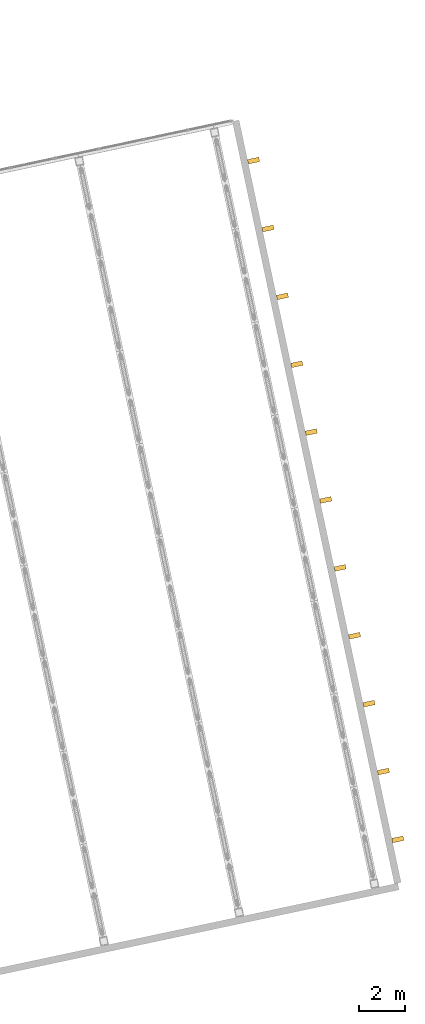
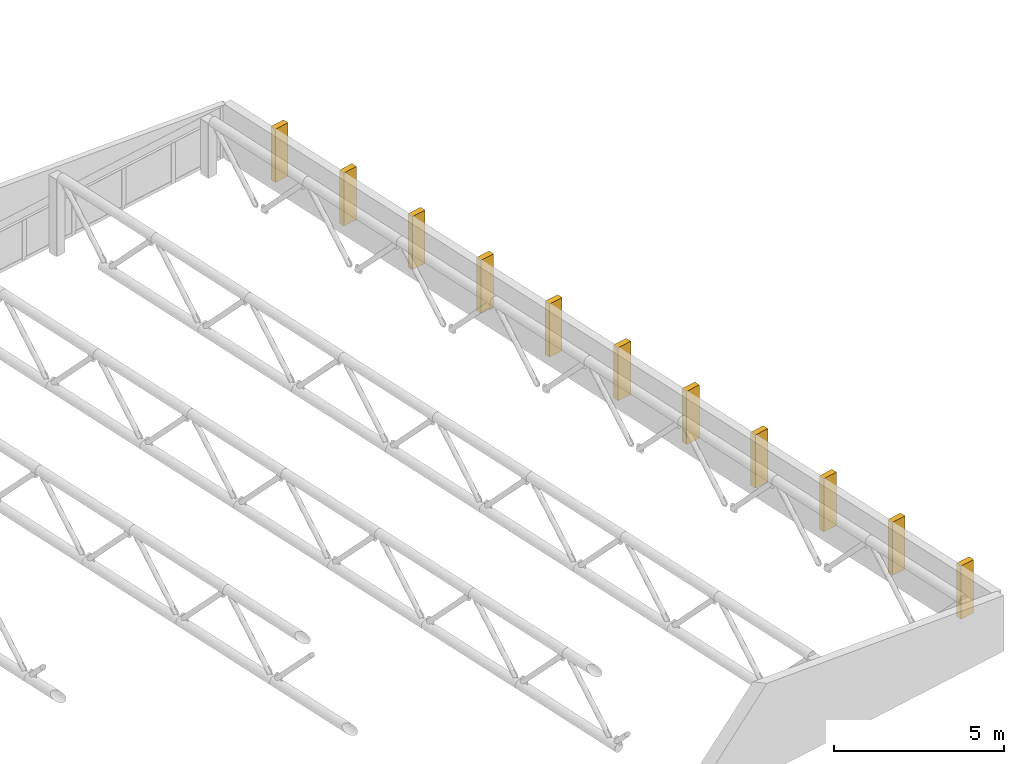
# One storey, part 58 of 58: 11 shading devices.
"""IFC4 building model written with IfcOpenShell, lengths in metres."""

from ifc_helpers import new_model, si_unit, direction, frame, origin, place, context, subcontext, project, spatial, polyline, outline, extrude, material, type_object, element, save


model = new_model("IFC4")

# Units and contexts
model_context = context("Model", 3, precision=1e-05, world=origin(), true_north=direction((0.0, 1.0)))
body_context = subcontext(model_context, "Body", "Model", "MODEL_VIEW")
ifc_project = project(units=[si_unit("LENGTHUNIT", "METRE"), si_unit("AREAUNIT", "SQUARE_METRE"), si_unit("VOLUMEUNIT", "CUBIC_METRE"), si_unit("PLANEANGLEUNIT", "RADIAN"), si_unit("MASSUNIT", "GRAM", prefix="KILO")], contexts=[model_context])

# Site, building, storey
site_placement = place(None, origin())
site = spatial("IfcSite", under=ifc_project, at=site_placement, CompositionType="ELEMENT")
building_placement = place(site_placement, origin())
building = spatial("IfcBuilding", under=site, at=building_placement, Name="Windward Yard Aquatics Centre", CompositionType="ELEMENT")
storey_placement = place(building_placement, frame((0.0, 0.0, 13.800048828125)))
storey = spatial("IfcBuildingStorey", under=building, at=storey_placement, Name="L03", CompositionType="ELEMENT", Elevation=13.800048828125)

# Shading devices
ifc_material = material(Name="Aluminium fin, powder coated", Category="aluminium")
shading_device_type = type_object("IfcShadingDeviceType", Name="D vertical fin 200x500", PredefinedType="USERDEFINED", material=ifc_material)
shading_device_1_placement = place(storey_placement, origin())
element("IfcShadingDevice", 1, at=shading_device_1_placement, inside=storey, type_object=shading_device_type, Name="Vertical fin D.W.E.L03.1.1", ObjectType="FIN", PredefinedType="USERDEFINED", context=body_context, shape_type="SweptSolid", body=[
    extrude(outline(polyline([(199.828369140625, 51.412353515625), (200.3173828125, 51.516357421875), (200.35888671875, 51.32080078125), (199.869873046875, 51.216796875), (199.828369140625, 51.412353515625)])), origin(), (0.0, 0.0, 1.0), 1.908447265625),
])
shading_device_2_placement = place(storey_placement, origin())
element("IfcShadingDevice", 2, at=shading_device_2_placement, inside=storey, type_object=shading_device_type, Name="Vertical fin D.W.E.L03.1.2", ObjectType="FIN", PredefinedType="USERDEFINED", context=body_context, shape_type="SweptSolid", body=[
    extrude(outline(polyline([(199.202392578125, 54.357421875), (199.69140625, 54.46142578125), (199.73291015625, 54.265869140625), (199.243896484375, 54.161865234375), (199.202392578125, 54.357421875)])), origin(), (0.0, 0.0, 1.0), 1.908447265625),
])
shading_device_3_placement = place(storey_placement, origin())
element("IfcShadingDevice", 3, at=shading_device_3_placement, inside=storey, type_object=shading_device_type, Name="Vertical fin D.W.E.L03.1.3", ObjectType="FIN", PredefinedType="USERDEFINED", context=body_context, shape_type="SweptSolid", body=[
    extrude(outline(polyline([(198.576171875, 57.302490234375), (199.065185546875, 57.406494140625), (199.10693359375, 57.2109375), (198.617919921875, 57.10693359375), (198.576171875, 57.302490234375)])), origin(), (0.0, 0.0, 1.0), 1.908447265625),
])
shading_device_4_placement = place(storey_placement, origin())
element("IfcShadingDevice", 4, at=shading_device_4_placement, inside=storey, type_object=shading_device_type, Name="Vertical fin D.W.E.L03.1.4", ObjectType="FIN", PredefinedType="USERDEFINED", context=body_context, shape_type="SweptSolid", body=[
    extrude(outline(polyline([(197.9501953125, 60.247802734375), (198.439208984375, 60.351806640625), (198.48095703125, 60.156005859375), (197.99169921875, 60.052001953125), (197.9501953125, 60.247802734375)])), origin(), (0.0, 0.0, 1.0), 1.908447265625),
])
shading_device_5_placement = place(storey_placement, origin())
element("IfcShadingDevice", 5, at=shading_device_5_placement, inside=storey, type_object=shading_device_type, Name="Vertical fin D.W.E.L03.1.5", ObjectType="FIN", PredefinedType="USERDEFINED", context=body_context, shape_type="SweptSolid", body=[
    extrude(outline(polyline([(197.32421875, 63.19287109375), (197.813232421875, 63.296875), (197.85498046875, 63.101318359375), (197.36572265625, 62.997314453125), (197.32421875, 63.19287109375)])), origin(), (0.0, 0.0, 1.0), 1.908447265625),
])
shading_device_6_placement = place(storey_placement, origin())
element("IfcShadingDevice", 6, at=shading_device_6_placement, inside=storey, type_object=shading_device_type, Name="Vertical fin D.W.E.L03.1.6", ObjectType="FIN", PredefinedType="USERDEFINED", context=body_context, shape_type="SweptSolid", body=[
    extrude(outline(polyline([(196.6982421875, 66.137939453125), (197.187255859375, 66.241943359375), (197.22900390625, 66.04638671875), (196.73974609375, 65.9423828125), (196.6982421875, 66.137939453125)])), origin(), (0.0, 0.0, 1.0), 1.908447265625),
])
shading_device_7_placement = place(storey_placement, origin())
element("IfcShadingDevice", 7, at=shading_device_7_placement, inside=storey, type_object=shading_device_type, Name="Vertical fin D.W.E.L03.1.7", ObjectType="FIN", PredefinedType="USERDEFINED", context=body_context, shape_type="SweptSolid", body=[
    extrude(outline(polyline([(196.072265625, 69.0830078125), (196.561279296875, 69.18701171875), (196.602783203125, 68.991455078125), (196.11376953125, 68.887451171875), (196.072265625, 69.0830078125)])), origin(), (0.0, 0.0, 1.0), 1.908447265625),
])
shading_device_8_placement = place(storey_placement, origin())
element("IfcShadingDevice", 8, at=shading_device_8_placement, inside=storey, type_object=shading_device_type, Name="Vertical fin D.W.E.L03.1.8", ObjectType="FIN", PredefinedType="USERDEFINED", context=body_context, shape_type="SweptSolid", body=[
    extrude(outline(polyline([(195.4462890625, 72.0283203125), (195.935302734375, 72.132080078125), (195.976806640625, 71.9365234375), (195.48779296875, 71.83251953125), (195.4462890625, 72.0283203125)])), origin(), (0.0, 0.0, 1.0), 1.908447265625),
])
shading_device_9_placement = place(storey_placement, origin())
element("IfcShadingDevice", 9, at=shading_device_9_placement, inside=storey, type_object=shading_device_type, Name="Vertical fin D.W.E.L03.1.9", ObjectType="FIN", PredefinedType="USERDEFINED", context=body_context, shape_type="SweptSolid", body=[
    extrude(outline(polyline([(194.8203125, 74.973388671875), (195.309326171875, 75.077392578125), (195.350830078125, 74.881591796875), (194.86181640625, 74.777587890625), (194.8203125, 74.973388671875)])), origin(), (0.0, 0.0, 1.0), 1.908447265625),
])
shading_device_10_placement = place(storey_placement, origin())
element("IfcShadingDevice", 10, at=shading_device_10_placement, inside=storey, type_object=shading_device_type, Name="Vertical fin D.W.E.L03.1.10", ObjectType="FIN", PredefinedType="USERDEFINED", context=body_context, shape_type="SweptSolid", body=[
    extrude(outline(polyline([(194.194091796875, 77.91845703125), (194.683349609375, 78.0224609375), (194.724853515625, 77.826904296875), (194.23583984375, 77.722900390625), (194.194091796875, 77.91845703125)])), origin(), (0.0, 0.0, 1.0), 1.908447265625),
])
shading_device_11_placement = place(storey_placement, origin())
element("IfcShadingDevice", 11, at=shading_device_11_placement, inside=storey, type_object=shading_device_type, Name="Vertical fin D.W.E.L03.1.11", ObjectType="FIN", PredefinedType="USERDEFINED", context=body_context, shape_type="SweptSolid", body=[
    extrude(outline(polyline([(193.568115234375, 80.863525390625), (194.057373046875, 80.967529296875), (194.098876953125, 80.77197265625), (193.60986328125, 80.66796875), (193.568115234375, 80.863525390625)])), origin(), (0.0, 0.0, 1.0), 1.908447265625),
])

save(model, "model.ifc")
